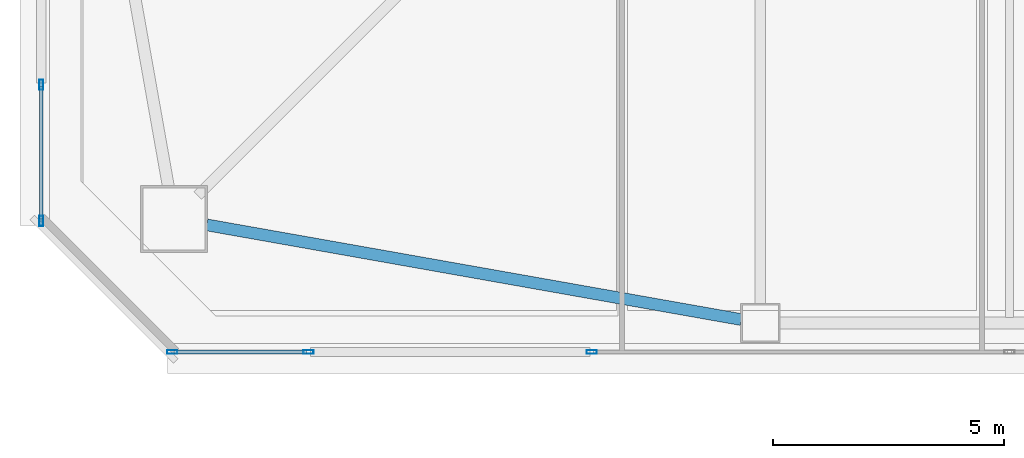
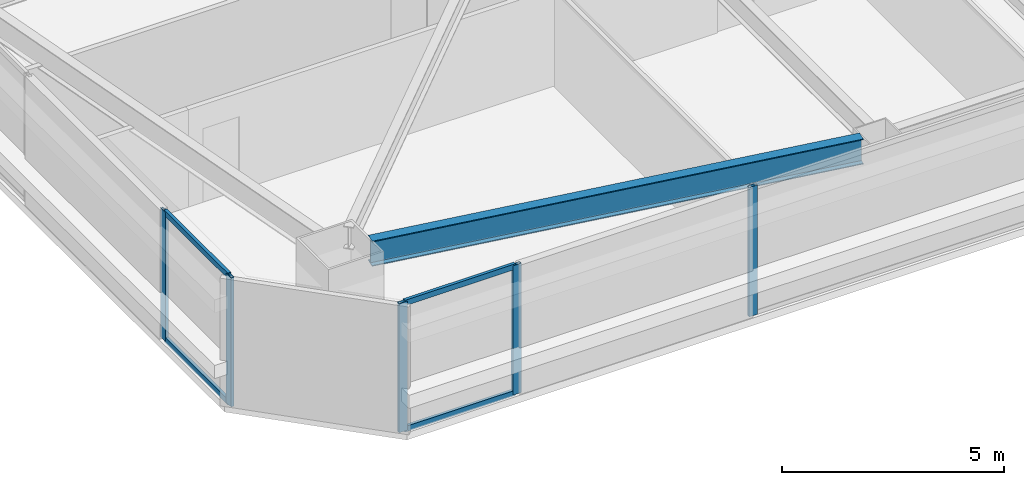
# One storey, part 3 of 48: 9 members, 1 beam, 3 elements without a shape of their own.
"""IFC4 building model written with IfcOpenShell, lengths in metres."""

from ifc_helpers import new_model, si_unit, direction, frame, origin, origin_2d, place, context, subcontext, project, spatial, hollow_rectangle, i_section, extrude, material, material_profile, profile_set, type_object, element, aggregate, save


model = new_model("IFC4")

# Units and contexts
model_context = context("Model", 3, precision=1e-05, world=origin(), true_north=direction((0.0, 1.0)))
body_context = subcontext(model_context, "Body", "Model", "MODEL_VIEW")
ifc_project = project(units=[si_unit("LENGTHUNIT", "METRE"), si_unit("AREAUNIT", "SQUARE_METRE"), si_unit("VOLUMEUNIT", "CUBIC_METRE"), si_unit("PLANEANGLEUNIT", "RADIAN"), si_unit("MASSUNIT", "GRAM", prefix="KILO")], contexts=[model_context])

# Site, building, storey
site_placement = place(None, origin())
site = spatial("IfcSite", under=ifc_project, at=site_placement, CompositionType="ELEMENT")
building_placement = place(site_placement, origin())
building = spatial("IfcBuilding", under=site, at=building_placement, Name="Tashvorn Skyway Center", CompositionType="ELEMENT")
storey_placement = place(building_placement, frame((0.0, 0.0, 77.85009765625)))
storey = spatial("IfcBuildingStorey", under=building, at=storey_placement, Name="L20", CompositionType="ELEMENT", Elevation=77.85009765625)

# Beam
ifc_material_1 = material(Name="Steel ASTM A992 Grade 50", Category="steel")
ifc_material_profile_1 = material_profile(ifc_material_1, i_section(OverallWidth=0.256103515625, OverallDepth=0.693115234375, WebThickness=0.014404296875, FlangeThickness=0.023681640625, at=origin_2d()), Name="W27X114")
ifc_profile_set_1 = profile_set([ifc_material_profile_1], Name="Steel ASTM A992 Grade 50")
beam_type = type_object("IfcBeamType", Name="BM-SPANDREL-W27X114", PredefinedType="SPANDREL", material=ifc_profile_set_1)
beam_placement = place(storey_placement, frame((24.60888671875, 13.7744140625, 3.00341796875), z_axis=(0.98466816531, -0.174437966698, 0.0), x_axis=(0.174437966698, 0.98466816531, 0.0)))
element("IfcBeam", 1, at=beam_placement, inside=storey, type_object=beam_type, Name="Tower 1 L20 Spandrel Beam 01", PredefinedType="SPANDREL", context=body_context, shape_type="SweptSolid", body=[
    extrude(i_section(OverallWidth=0.256103515625, OverallDepth=0.693115234375, WebThickness=0.014404296875, FlangeThickness=0.023681640625, at=origin_2d()), origin(), (0.0, 0.0, 1.0), 11.7578125),
])

# Curtain wall, member
ifc_material_2 = material(Name="Thermally broken bronze-anodized aluminium 6063-T6", Category="aluminium")
curtain_wall_type = type_object("IfcCurtainWallType", Name="CW-CW-Z2", PredefinedType="NOTDEFINED", material=ifc_material_2)
curtain_wall_1_placement = place(storey_placement, origin())
curtain_wall_1 = element("IfcCurtainWall", 2, at=curtain_wall_1_placement, inside=storey, type_object=curtain_wall_type, Name="Tower 1 L20 South Unitised Curtain Wall Glazing Group 2", PredefinedType="NOTDEFINED")
ifc_material_profile_2 = material_profile(ifc_material_2, hollow_rectangle(XDim=0.080078125, YDim=0.219970703125, WallThickness=0.0048828125, at=origin_2d()), Name="ALU-MULL-80x220")
ifc_profile_set_2 = profile_set([ifc_material_profile_2], Name="Thermally broken bronze-anodized aluminium 6063-T6")
member_type_1 = type_object("IfcMemberType", Name="CWM-CW-Z2", PredefinedType="MULLION", material=ifc_profile_set_2)
member_1_placement = place(storey_placement, frame((32.949951171875, 11.02001953125, 0.0), z_axis=(0.0, 0.0, 1.0), x_axis=(0.0, -1.0, 0.0)))
member_1 = element("IfcMember", 3, at=member_1_placement, type_object=member_type_1, Name="CW-Z2 mullion 3", PredefinedType="MULLION", context=body_context, shape_type="SweptSolid", body=[
    extrude(hollow_rectangle(XDim=0.080078125, YDim=0.219970703125, WallThickness=0.0048828125, at=origin_2d()), origin(), (0.0, 0.0, 1.0), 3.5498046875),
])
aggregate(curtain_wall_1, [member_1])

# Curtain wall, members
curtain_wall_2_placement = place(storey_placement, origin())
curtain_wall_2 = element("IfcCurtainWall", 4, at=curtain_wall_2_placement, inside=storey, type_object=curtain_wall_type, Name="Tower 1 L20 South Unitised Curtain Wall Glazing Group 3", PredefinedType="NOTDEFINED")
member_2_placement = place(storey_placement, frame((26.81005859375, 11.02001953125, 0.0), z_axis=(0.0, 0.0, 1.0), x_axis=(0.0, -1.0, 0.0)))
member_2 = element("IfcMember", 5, at=member_2_placement, type_object=member_type_1, Name="CW-Z2 mullion 1", PredefinedType="MULLION", context=body_context, shape_type="SweptSolid", body=[
    extrude(hollow_rectangle(XDim=0.080078125, YDim=0.219970703125, WallThickness=0.0048828125, at=origin_2d()), origin(), (0.0, 0.0, 1.0), 3.5498046875),
])
member_3_placement = place(storey_placement, frame((23.860107421875, 11.02001953125, 0.0), z_axis=(0.0, 0.0, 1.0), x_axis=(0.0, -1.0, 0.0)))
member_3 = element("IfcMember", 6, at=member_3_placement, type_object=member_type_1, Name="CW-Z2 mullion 2", PredefinedType="MULLION", context=body_context, shape_type="SweptSolid", body=[
    extrude(hollow_rectangle(XDim=0.080078125, YDim=0.219970703125, WallThickness=0.0048828125, at=origin_2d()), origin(), (0.0, 0.0, 1.0), 3.5498046875),
])

curtain_wall_3_placement = place(storey_placement, origin())
curtain_wall_3 = element("IfcCurtainWall", 7, at=curtain_wall_3_placement, inside=storey, type_object=curtain_wall_type, Name="Tower 1 L20 West Unitised Curtain Wall Glazing Group 1", PredefinedType="NOTDEFINED")
member_4_placement = place(storey_placement, frame((21.02001953125, 13.860107421875, 0.0), z_axis=(0.0, 0.0, 1.0), x_axis=(-1.0, 0.0, 0.0)))
member_4 = element("IfcMember", 8, at=member_4_placement, type_object=member_type_1, Name="CW-Z2 mullion 1", PredefinedType="MULLION", context=body_context, shape_type="SweptSolid", body=[
    extrude(hollow_rectangle(XDim=0.080078125, YDim=0.219970703125, WallThickness=0.0048828125, at=origin_2d()), origin(), (0.0, 0.0, 1.0), 3.5498046875),
])
member_5_placement = place(storey_placement, frame((21.02001953125, 16.81005859375, 0.0), z_axis=(0.0, 0.0, 1.0), x_axis=(-1.0, 0.0, 0.0)))
member_5 = element("IfcMember", 9, at=member_5_placement, type_object=member_type_1, Name="CW-Z2 mullion 2", PredefinedType="MULLION", context=body_context, shape_type="SweptSolid", body=[
    extrude(hollow_rectangle(XDim=0.080078125, YDim=0.219970703125, WallThickness=0.0048828125, at=origin_2d()), origin(), (0.0, 0.0, 1.0), 3.5498046875),
])

# Member
ifc_material_profile_3 = material_profile(ifc_material_2, hollow_rectangle(XDim=0.080078125, YDim=0.14990234375, WallThickness=0.00439453125, at=origin_2d()), Name="ALU-TRAN-80x150")
ifc_profile_set_3 = profile_set([ifc_material_profile_3], Name="Thermally broken bronze-anodized aluminium 6063-T6")
member_type_2 = type_object("IfcMemberType", Name="CWT-CW-Z2", PredefinedType="USERDEFINED", material=ifc_profile_set_3)
member_6_placement = place(storey_placement, frame((26.77001953125, 11.02001953125, 0.039794921875), z_axis=(-1.0, 0.0, 0.0), x_axis=(0.0, -1.0, 0.0)))
member_6 = element("IfcMember", 10, at=member_6_placement, type_object=member_type_2, Name="CW-Z2 transom 1.1", ObjectType="TRANSOM", PredefinedType="USERDEFINED", context=body_context, shape_type="SweptSolid", body=[
    extrude(hollow_rectangle(XDim=0.080078125, YDim=0.14990234375, WallThickness=0.00439453125, at=origin_2d()), origin(), (0.0, 0.0, 1.0), 2.8701171875),
])

member_7_placement = place(storey_placement, frame((26.77001953125, 11.02001953125, 3.510009765625), z_axis=(-1.0, 0.0, 0.0), x_axis=(0.0, -1.0, 0.0)))
member_7 = element("IfcMember", 11, at=member_7_placement, type_object=member_type_2, Name="CW-Z2 transom 1.2", ObjectType="TRANSOM", PredefinedType="USERDEFINED", context=body_context, shape_type="SweptSolid", body=[
    extrude(hollow_rectangle(XDim=0.080078125, YDim=0.14990234375, WallThickness=0.00439453125, at=origin_2d()), origin(), (0.0, 0.0, 1.0), 2.8701171875),
])

aggregate(curtain_wall_2, [member_2, member_3, member_6, member_7])

member_8_placement = place(storey_placement, frame((21.02001953125, 13.89990234375, 0.039794921875), z_axis=(0.0, 1.0, 0.0), x_axis=(-1.0, 0.0, 0.0)))
member_8 = element("IfcMember", 12, at=member_8_placement, type_object=member_type_2, Name="CW-Z2 transom 1.1", ObjectType="TRANSOM", PredefinedType="USERDEFINED", context=body_context, shape_type="SweptSolid", body=[
    extrude(hollow_rectangle(XDim=0.080078125, YDim=0.14990234375, WallThickness=0.00439453125, at=origin_2d()), origin(), (0.0, 0.0, 1.0), 2.8701171875),
])

member_9_placement = place(storey_placement, frame((21.02001953125, 13.89990234375, 3.510009765625), z_axis=(0.0, 1.0, 0.0), x_axis=(-1.0, 0.0, 0.0)))
member_9 = element("IfcMember", 13, at=member_9_placement, type_object=member_type_2, Name="CW-Z2 transom 1.2", ObjectType="TRANSOM", PredefinedType="USERDEFINED", context=body_context, shape_type="SweptSolid", body=[
    extrude(hollow_rectangle(XDim=0.080078125, YDim=0.14990234375, WallThickness=0.00439453125, at=origin_2d()), origin(), (0.0, 0.0, 1.0), 2.8701171875),
])

aggregate(curtain_wall_3, [member_4, member_5, member_8, member_9])

save(model, "model.ifc")
